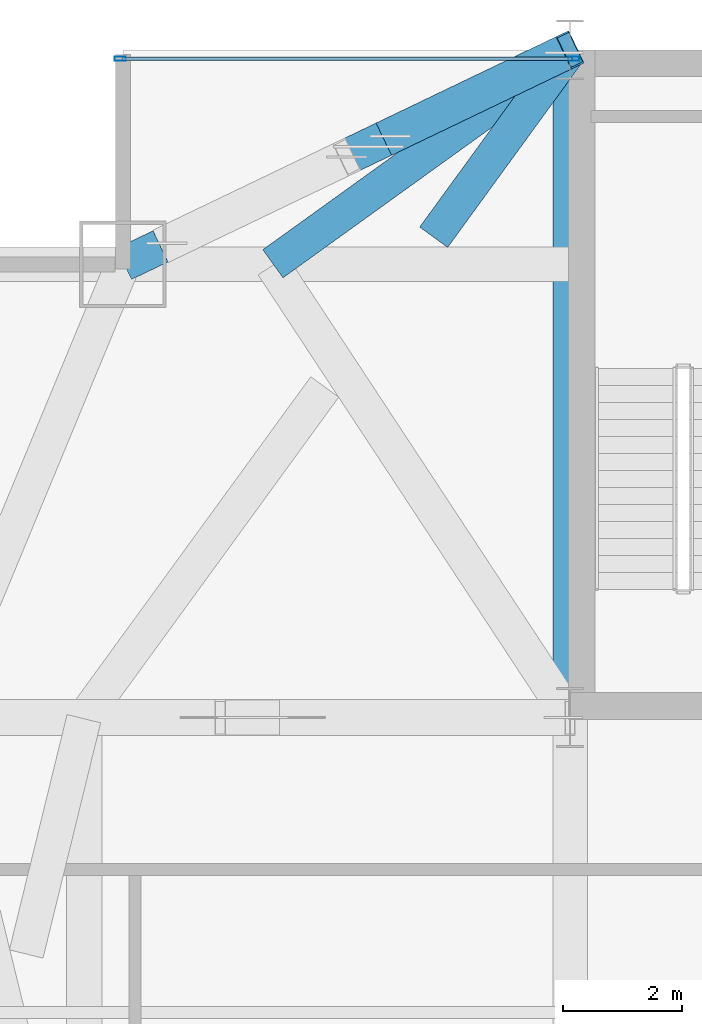
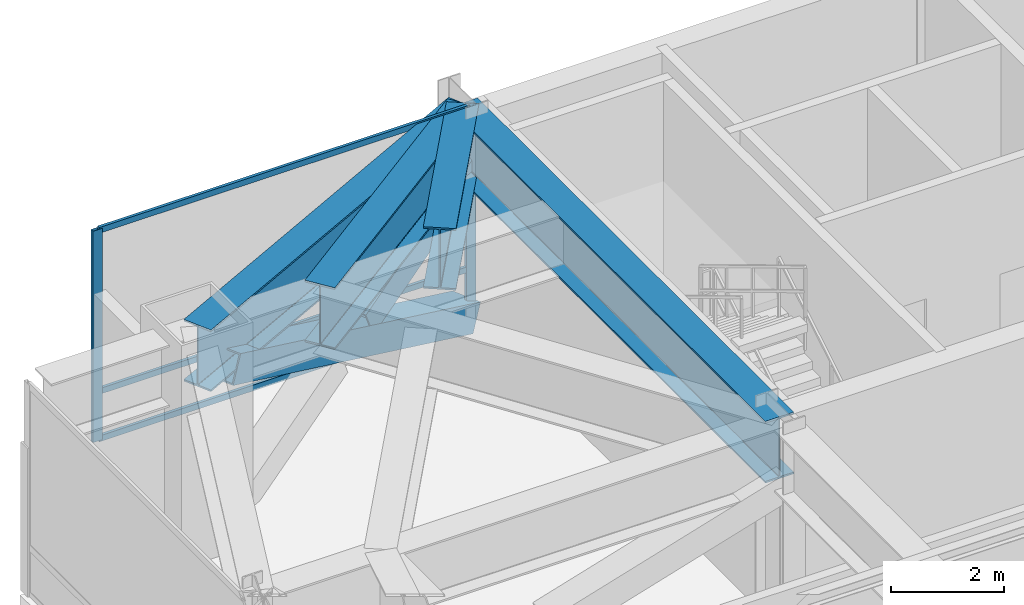
# One storey, part 22 of 32: 7 members, 4 beams, 1 element without a shape of its own.
"""IFC4 building model written with IfcOpenShell, lengths in metres."""

from ifc_helpers import new_model, si_unit, direction, frame, origin, origin_2d, place, context, subcontext, project, spatial, hollow_rectangle, i_section, extrude, source, transform, mapped, material, layer, layer_set, material_profile, profile_set, type_object, type_shapes, element, aggregate, save


model = new_model("IFC4")

# Units and contexts
model_context = context("Model", 3, precision=1e-05, world=origin(), true_north=direction((0.0, 1.0)))
body_context = subcontext(model_context, "Body", "Model", "MODEL_VIEW")
ifc_project = project(units=[si_unit("LENGTHUNIT", "METRE"), si_unit("AREAUNIT", "SQUARE_METRE"), si_unit("VOLUMEUNIT", "CUBIC_METRE"), si_unit("PLANEANGLEUNIT", "RADIAN"), si_unit("MASSUNIT", "GRAM", prefix="KILO")], contexts=[model_context])

# Site, building, storey
site_placement = place(None, origin())
site = spatial("IfcSite", under=ifc_project, at=site_placement, CompositionType="ELEMENT")
building_placement = place(site_placement, origin())
building = spatial("IfcBuilding", under=site, at=building_placement, Name="Varnel Quay Broadcast Tower", CompositionType="ELEMENT")
storey_placement = place(building_placement, frame((0.0, 0.0, 141.0)))
storey = spatial("IfcBuildingStorey", under=building, at=storey_placement, Name="L34", CompositionType="ELEMENT", Elevation=141.0)

# Beams
ifc_material_1 = material(Name="Structural Steel CSA G40.21 350WT", Category="steel")
ifc_material_profile_1 = material_profile(ifc_material_1, i_section(OverallWidth=0.580078125, OverallDepth=1.330078125, WebThickness=0.02197265625, FlangeThickness=0.0380859375, FilletRadius=0.02001953125, at=origin_2d()), Name="WWF1330X535")
ifc_profile_set_1 = profile_set([ifc_material_profile_1], Name="Structural Steel CSA G40.21 350WT")
beam_type = type_object("IfcBeamType", Name="Girder_WWF1330X535", PredefinedType="BEAM", material=ifc_profile_set_1)
shared_shape_1 = source(origin(), body_context, "Body", "SweptSolid", [
    extrude(i_section(OverallWidth=0.580078125, OverallDepth=1.330078125, WebThickness=0.02197265625, FlangeThickness=0.0380859375, FilletRadius=0.02001953125, at=origin_2d()), origin(), (0.0, 0.0, 1.0), 11.159912109375),
])
beam_1_placement = place(storey_placement, frame((15.60009765625, 35.6201171875, 3.885009765625), z_axis=(0.0, 1.0, 0.0), x_axis=(-1.0, 0.0, 0.0)))
element("IfcBeam", 1, at=beam_1_placement, inside=storey, type_object=beam_type, Name="L34 West Core Spine", PredefinedType="BEAM", context=body_context, shape_type="MappedRepresentation", body=[
    mapped(shared_shape_1, transform((0.0, 0.0, 0.0), x_axis=(1.0, 0.0, 0.0), y_axis=(0.0, 1.0, 0.0), z_axis=(0.0, 0.0, 1.0), scale=1.0)),
])
shared_shape_2 = source(origin(), body_context, "Body", "SweptSolid", [
    extrude(i_section(OverallWidth=0.580078125, OverallDepth=1.330078125, WebThickness=0.02197265625, FlangeThickness=0.0380859375, FilletRadius=0.02001953125, at=origin_2d()), origin(), (0.0, 0.0, 1.0), 8.279296875),
])
beam_2_placement = place(storey_placement, frame((8.117919921875, 43.208740234375, 3.885009765625), z_axis=(0.901535021024, 0.432706142626, 0.0), x_axis=(-0.432706142626, 0.901535021024, 0.0)))
element("IfcBeam", 2, at=beam_2_placement, inside=storey, type_object=beam_type, Name="L34 NW Transfer Spine", PredefinedType="BEAM", context=body_context, shape_type="MappedRepresentation", body=[
    mapped(shared_shape_2, transform((0.0, 0.0, 0.0), x_axis=(1.0, 0.0, 0.0), y_axis=(0.0, 1.0, 0.0), z_axis=(0.0, 0.0, 1.0), scale=1.0)),
])
shared_shape_3 = source(origin(), body_context, "Body", "SweptSolid", [
    extrude(i_section(OverallWidth=0.580078125, OverallDepth=1.330078125, WebThickness=0.02197265625, FlangeThickness=0.0380859375, FilletRadius=0.02001953125, at=origin_2d()), origin(), (0.0, 0.0, 1.0), 6.12109375),
])
beam_3_placement = place(storey_placement, frame((15.583740234375, 46.788330078125, 3.885009765625), z_axis=(-0.811531315425, -0.584308928637, 0.0), x_axis=(0.584308928637, -0.811531315425, 0.0)))
element("IfcBeam", 3, at=beam_3_placement, inside=storey, type_object=beam_type, Name="L34 Nodal Transfer Tie MC-NW-CC-N1", PredefinedType="BEAM", context=body_context, shape_type="MappedRepresentation", body=[
    mapped(shared_shape_3, transform((0.0, 0.0, 0.0), x_axis=(1.0, 0.0, 0.0), y_axis=(0.0, 1.0, 0.0), z_axis=(0.0, 0.0, 1.0), scale=1.0)),
])
shared_shape_4 = source(origin(), body_context, "Body", "SweptSolid", [
    extrude(i_section(OverallWidth=0.580078125, OverallDepth=1.330078125, WebThickness=0.02197265625, FlangeThickness=0.0380859375, FilletRadius=0.02001953125, at=origin_2d()), origin(), (0.0, 0.0, 1.0), 3.8671875),
])
type_shapes(beam_type, [shared_shape_1, shared_shape_2, shared_shape_3, shared_shape_4])
beam_4_placement = place(storey_placement, frame((15.588134765625, 46.78369140625, 3.885009765625), z_axis=(-0.58838188732, -0.808583177338, 0.0), x_axis=(0.808583177338, -0.58838188732, 0.0)))
element("IfcBeam", 4, at=beam_4_placement, inside=storey, type_object=beam_type, Name="L34 X-Braced Transfer Tie TC-W3-CC-N1 Part 1", PredefinedType="BEAM", context=body_context, shape_type="MappedRepresentation", body=[
    mapped(shared_shape_4, transform((0.0, 0.0, 0.0), x_axis=(1.0, 0.0, 0.0), y_axis=(0.0, 1.0, 0.0), z_axis=(0.0, 0.0, 1.0), scale=1.0)),
])

# Members
ifc_material_profile_2 = material_profile(ifc_material_1, hollow_rectangle(XDim=0.60009765625, YDim=0.60009765625, WallThickness=0.028076171875, at=origin_2d()), Name="BOX600X600X28")
ifc_profile_set_2 = profile_set([ifc_material_profile_2], Name="Structural Steel CSA G40.21 350WT")
member_type_1 = type_object("IfcMemberType", Name="Outrigger_BOX600X600X28", PredefinedType="BRACE", material=ifc_profile_set_2)
shared_shape_5 = source(origin(), body_context, "Body", "SweptSolid", [
    extrude(hollow_rectangle(XDim=0.60009765625, YDim=0.60009765625, WallThickness=0.028076171875, at=origin_2d()), origin(), (0.0, 0.0, 1.0), 8.162353515625),
])
member_1_placement = place(storey_placement, frame((15.60009765625, 46.800048828125, 0.02001953125), z_axis=(-0.828409343306, -0.397634091923, 0.394493458581), x_axis=(0.432728951153, -0.901524073352, 0.0)))
element("IfcMember", 5, at=member_1_placement, inside=storey, type_object=member_type_1, Name="L34 Outrigger NW Continuous Diag A", PredefinedType="BRACE", context=body_context, shape_type="MappedRepresentation", body=[
    mapped(shared_shape_5, transform((0.0, 0.0, 0.0), x_axis=(1.0, 0.0, 0.0), y_axis=(0.0, 1.0, 0.0), z_axis=(0.0, 0.0, 1.0), scale=1.0)),
])
shared_shape_6 = source(origin(), body_context, "Body", "SweptSolid", [
    extrude(hollow_rectangle(XDim=0.60009765625, YDim=0.60009765625, WallThickness=0.028076171875, at=origin_2d()), origin(), (0.0, 0.0, 1.0), 3.642333984375),
])
type_shapes(member_type_1, [shared_shape_5, shared_shape_6])
member_2_placement = place(storey_placement, frame((12.582763671875, 45.351806640625, 1.802978515625), z_axis=(0.828403119458, 0.397612048275, 0.394528745136), x_axis=(-0.432712095994, 0.901532163586, 0.0)))
element("IfcMember", 6, at=member_2_placement, inside=storey, type_object=member_type_1, Name="L34 Outrigger NW Split Diag B2", PredefinedType="BRACE", context=body_context, shape_type="MappedRepresentation", body=[
    mapped(shared_shape_6, transform((0.0, 0.0, 0.0), x_axis=(1.0, 0.0, 0.0), y_axis=(0.0, 1.0, 0.0), z_axis=(0.0, 0.0, 1.0), scale=1.0)),
])

# Curtain wall, members
ifc_material_2 = material(Name="Anodised Bronze Aluminium 6063-T6", Category="aluminium")
ifc_layer = layer(ifc_material_2, 0.18994140625, Name="Anodised Bronze Aluminium 6063-T6")
ifc_layer_set = layer_set([ifc_layer], Name="Anodised Bronze Aluminium 6063-T6")
curtain_wall_type = type_object("IfcCurtainWallType", Name="CW_CrownScreen", PredefinedType="NOTDEFINED", material=ifc_layer_set)
curtain_wall_placement = place(storey_placement, origin())
curtain_wall = element("IfcCurtainWall", 7, at=curtain_wall_placement, inside=storey, type_object=curtain_wall_type, Name="L34 NW Wing Curtain Wall", PredefinedType="NOTDEFINED")
ifc_material_profile_3 = material_profile(ifc_material_2, hollow_rectangle(XDim=0.070068359375, YDim=0.18994140625, WallThickness=0.00390625, at=origin_2d()), Name="ALU70X190X4")
ifc_profile_set_3 = profile_set([ifc_material_profile_3], Name="Anodised Bronze Aluminium 6063-T6")
member_type_2 = type_object("IfcMemberType", Name="Mull_CWS-06", PredefinedType="MULLION", material=ifc_profile_set_3)
shared_shape_7 = source(origin(), body_context, "Body", "SweptSolid", [
    extrude(hollow_rectangle(XDim=0.070068359375, YDim=0.18994140625, WallThickness=0.00390625, at=origin_2d()), origin(), (0.0, 0.0, 1.0), 4.550048828125),
])
type_shapes(member_type_2, [shared_shape_7])
member_3_placement = place(storey_placement, frame((8.054931640625, 46.64990234375, 0.0), z_axis=(0.0, 0.0, 1.0), x_axis=(0.0, 1.0, 0.0)))
member_3 = element("IfcMember", 8, at=member_3_placement, type_object=member_type_2, Name="CWS-06 mullion 1", PredefinedType="MULLION", context=body_context, shape_type="MappedRepresentation", body=[
    mapped(shared_shape_7, transform((0.0, 0.0, 0.0), x_axis=(1.0, 0.0, 0.0), y_axis=(0.0, 1.0, 0.0), z_axis=(0.0, 0.0, 1.0), scale=1.0)),
])
member_4_placement = place(storey_placement, frame((15.6650390625, 46.64990234375, 0.0), z_axis=(0.0, 0.0, 1.0), x_axis=(0.0, 1.0, 0.0)))
member_4 = element("IfcMember", 9, at=member_4_placement, type_object=member_type_2, Name="CWS-06 mullion 2", PredefinedType="MULLION", context=body_context, shape_type="MappedRepresentation", body=[
    mapped(shared_shape_7, transform((0.0, 0.0, 0.0), x_axis=(1.0, 0.0, 0.0), y_axis=(0.0, 1.0, 0.0), z_axis=(0.0, 0.0, 1.0), scale=1.0)),
])
ifc_material_profile_4 = material_profile(ifc_material_2, hollow_rectangle(XDim=0.06005859375, YDim=0.125, WallThickness=0.0029296875, at=origin_2d()), Name="ALU60X125X3")
ifc_profile_set_4 = profile_set([ifc_material_profile_4], Name="Anodised Bronze Aluminium 6063-T6")
member_type_3 = type_object("IfcMemberType", Name="Tran_CWS-06", PredefinedType="USERDEFINED", material=ifc_profile_set_4)
shared_shape_8 = source(origin(), body_context, "Body", "SweptSolid", [
    extrude(hollow_rectangle(XDim=0.06005859375, YDim=0.125, WallThickness=0.0029296875, at=origin_2d()), origin(), (0.0, 0.0, 1.0), 7.539794921875),
])
type_shapes(member_type_3, [shared_shape_8])
member_5_placement = place(storey_placement, frame((8.090087890625, 46.64990234375, 0.030029296875), z_axis=(1.0, 0.0, 0.0), x_axis=(0.0, 1.0, 0.0)))
member_5 = element("IfcMember", 10, at=member_5_placement, type_object=member_type_3, Name="CWS-06 transom 1.1", ObjectType="TRANSOM", PredefinedType="USERDEFINED", context=body_context, shape_type="MappedRepresentation", body=[
    mapped(shared_shape_8, transform((0.0, 0.0, 0.0), x_axis=(1.0, 0.0, 0.0), y_axis=(0.0, 1.0, 0.0), z_axis=(0.0, 0.0, 1.0), scale=1.0)),
])
member_6_placement = place(storey_placement, frame((8.090087890625, 46.64990234375, 1.050048828125), z_axis=(1.0, 0.0, 0.0), x_axis=(0.0, 1.0, 0.0)))
member_6 = element("IfcMember", 11, at=member_6_placement, type_object=member_type_3, Name="CWS-06 transom 1.2", ObjectType="TRANSOM", PredefinedType="USERDEFINED", context=body_context, shape_type="MappedRepresentation", body=[
    mapped(shared_shape_8, transform((0.0, 0.0, 0.0), x_axis=(1.0, 0.0, 0.0), y_axis=(0.0, 1.0, 0.0), z_axis=(0.0, 0.0, 1.0), scale=1.0)),
])
member_7_placement = place(storey_placement, frame((8.090087890625, 46.64990234375, 4.52001953125), z_axis=(1.0, 0.0, 0.0), x_axis=(0.0, 1.0, 0.0)))
member_7 = element("IfcMember", 12, at=member_7_placement, type_object=member_type_3, Name="CWS-06 transom 1.3", ObjectType="TRANSOM", PredefinedType="USERDEFINED", context=body_context, shape_type="MappedRepresentation", body=[
    mapped(shared_shape_8, transform((0.0, 0.0, 0.0), x_axis=(1.0, 0.0, 0.0), y_axis=(0.0, 1.0, 0.0), z_axis=(0.0, 0.0, 1.0), scale=1.0)),
])
aggregate(curtain_wall, [member_3, member_4, member_5, member_6, member_7])

save(model, "model.ifc")
